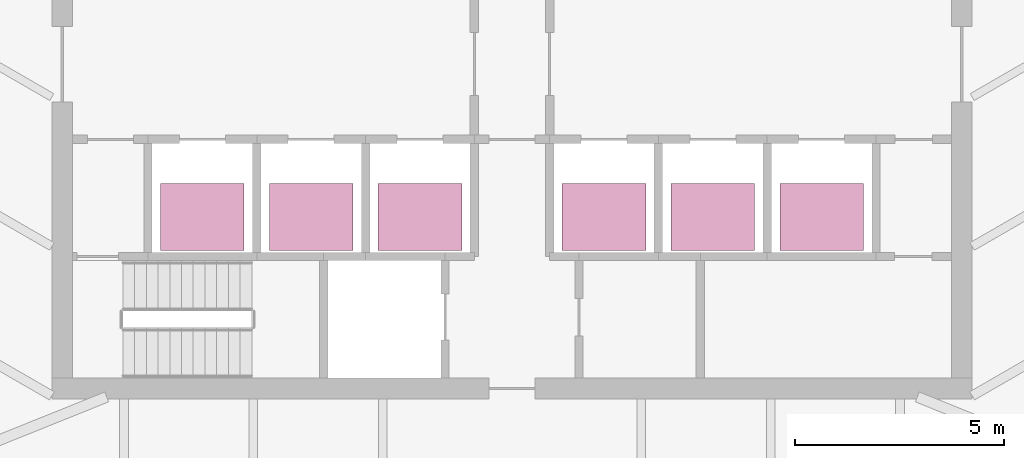
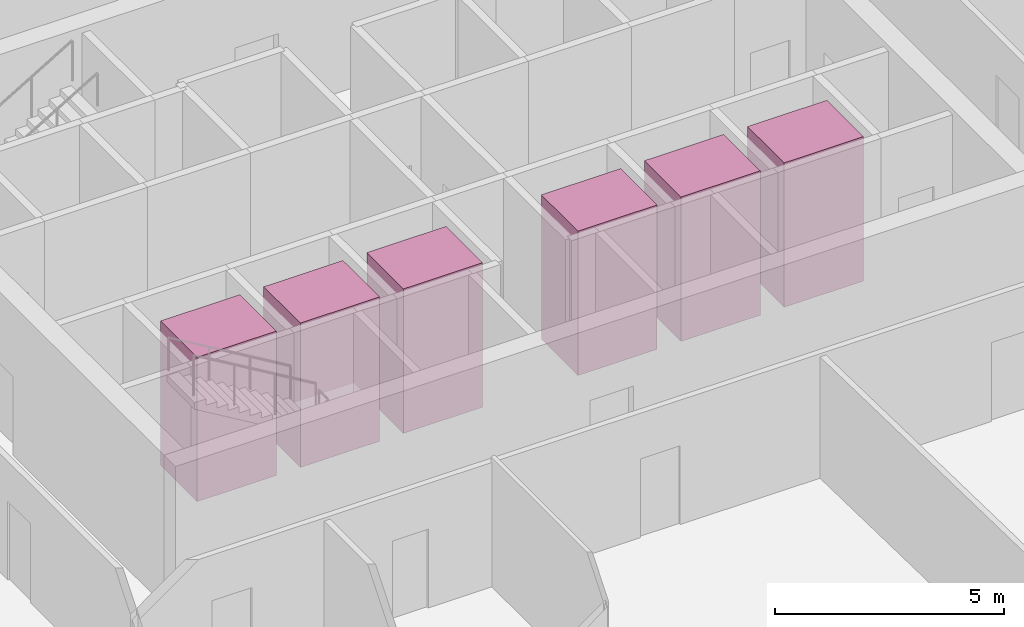
# One storey, part 19 of 19: 6 transport elements.
"""IFC4 building model written with IfcOpenShell, lengths in metres."""

from ifc_helpers import new_model, si_unit, direction, frame, origin, origin_2d, place, context, subcontext, project, spatial, rectangle, extrude, material, type_object, element, save


model = new_model("IFC4")

# Units and contexts
model_context = context("Model", 3, precision=1e-05, world=origin(), true_north=direction((0.0, 1.0)))
body_context = subcontext(model_context, "Body", "Model", "MODEL_VIEW")
ifc_project = project(units=[si_unit("LENGTHUNIT", "METRE"), si_unit("AREAUNIT", "SQUARE_METRE"), si_unit("VOLUMEUNIT", "CUBIC_METRE"), si_unit("PLANEANGLEUNIT", "RADIAN"), si_unit("MASSUNIT", "GRAM", prefix="KILO")], contexts=[model_context])

# Site, building, storey
site_placement = place(None, origin())
site = spatial("IfcSite", under=ifc_project, at=site_placement, CompositionType="ELEMENT")
building_placement = place(site_placement, origin())
building = spatial("IfcBuilding", under=site, at=building_placement, Name="Sierra Prisma Convention Tower", CompositionType="ELEMENT")
storey_placement = place(building_placement, frame((0.0, 0.0, 193.800048828125)))
storey = spatial("IfcBuildingStorey", under=building, at=storey_placement, Name="L43", CompositionType="ELEMENT", Elevation=193.800048828125)

# Transport elements
ifc_material = material(Name="Stainless steel", Category="steel")
transport_element_type = type_object("IfcTransportElementType", Name="Lift car office low 2000x1600 1600 kg", PredefinedType="ELEVATOR", material=ifc_material)
for number, where, z_axis, x_axis, name in (
    (1, (-7.39990234375, -3.64990234375, 0.0), (0.0, 0.0, 1.0), (1.0, 0.0, 0.0), "Lift OL1"),
    (2, (-4.800048828125, -3.64990234375, 0.0), (0.0, 0.0, 1.0), (1.0, 0.0, 0.0), "Lift OL2"),
    (3, (-2.199951171875, -3.64990234375, 0.0), (0.0, 0.0, 1.0), (1.0, 0.0, 0.0), "Lift OL3"),
    (4, (2.199951171875, -3.64990234375, 0.0), (0.0, 0.0, 1.0), (1.0, 0.0, 0.0), "Lift OL4"),
    (5, (4.800048828125, -3.64990234375, 0.0), (0.0, 0.0, 1.0), (1.0, 0.0, 0.0), "Lift OL5"),
    (6, (7.39990234375, -3.64990234375, 0.0), (0.0, 0.0, 1.0), (1.0, 0.0, 0.0), "Lift OL6"),
):
    element("IfcTransportElement", number, at=place(storey_placement, frame(where, z_axis=z_axis, x_axis=x_axis)), inside=storey, type_object=transport_element_type, Name=name, PredefinedType="ELEVATOR", context=body_context, shape_type="SweptSolid", body=[
        extrude(rectangle(XDim=2.0, YDim=1.60009765625, at=origin_2d()), origin(), (0.0, 0.0, 1.0), 3.85009765625),
    ])

save(model, "model.ifc")
